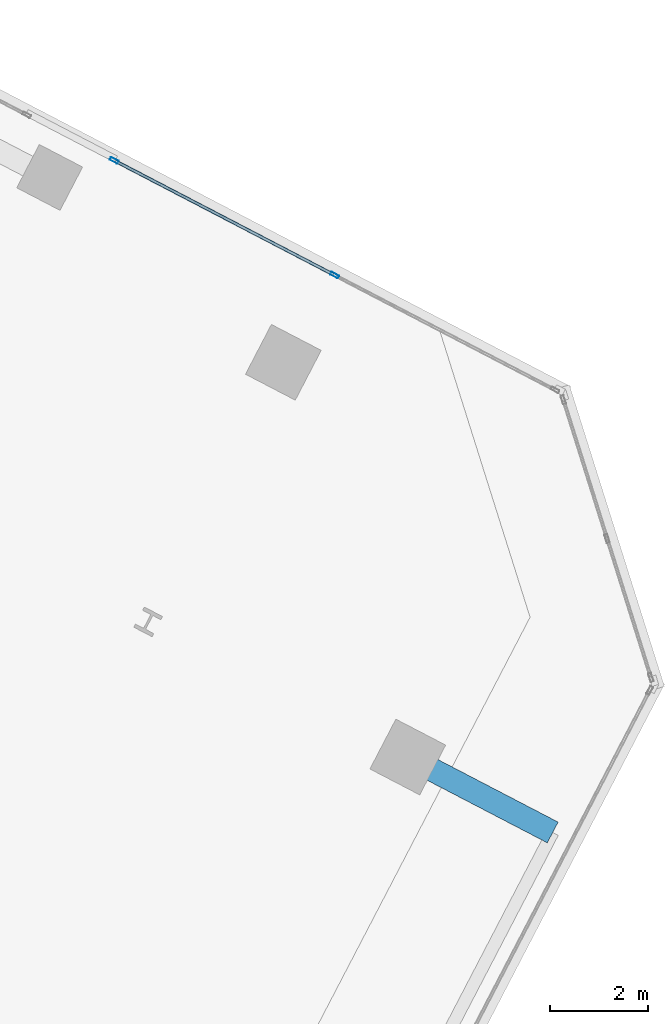
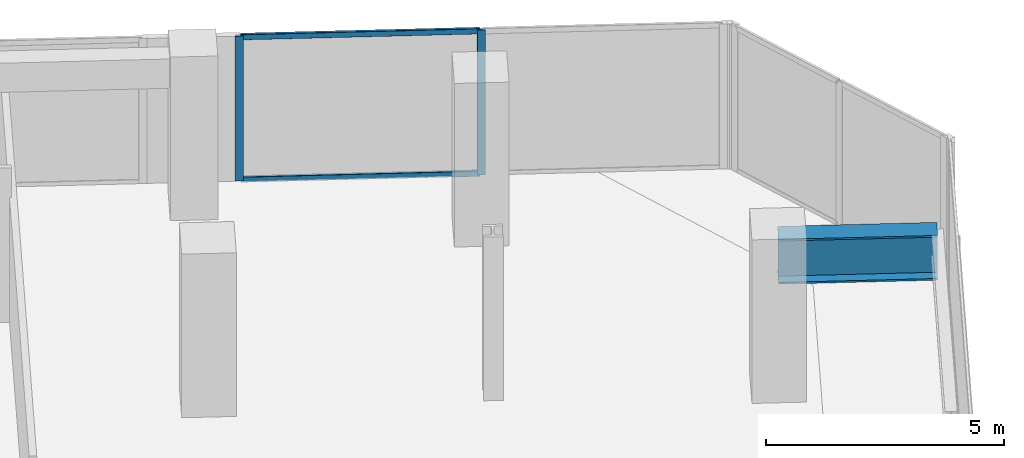
# One storey, part 10 of 22: 4 members, 1 beam, 1 element without a shape of its own.
"""IFC4 building model written with IfcOpenShell, lengths in metres."""

from ifc_helpers import new_model, si_unit, direction, frame, origin, origin_2d, place, context, subcontext, project, spatial, hollow_rectangle, i_section, extrude, source, transform, mapped, material, material_profile, profile_set, type_object, element, aggregate, save


model = new_model("IFC4")

# Units and contexts
model_context = context("Model", 3, precision=1e-05, world=origin(), true_north=direction((0.0, 1.0)))
body_context = subcontext(model_context, "Body", "Model", "MODEL_VIEW")
ifc_project = project(units=[si_unit("LENGTHUNIT", "METRE"), si_unit("AREAUNIT", "SQUARE_METRE"), si_unit("VOLUMEUNIT", "CUBIC_METRE"), si_unit("PLANEANGLEUNIT", "RADIAN"), si_unit("MASSUNIT", "GRAM", prefix="KILO")], contexts=[model_context])

# Site, building, storey
site_placement = place(None, origin())
site = spatial("IfcSite", under=ifc_project, at=site_placement, CompositionType="ELEMENT")
building_placement = place(site_placement, origin())
building = spatial("IfcBuilding", under=site, at=building_placement, Name="Torre Montelarca", CompositionType="ELEMENT")
storey_placement = place(building_placement, frame((0.0, 0.0, 166.60009765625)))
storey = spatial("IfcBuildingStorey", under=building, at=storey_placement, Name="L37", CompositionType="ELEMENT", Elevation=166.60009765625)

# Beam
ifc_material_1 = material(Name="Steel ASTM A572 Grade 50", Category="steel")
ifc_material_profile_1 = material_profile(ifc_material_1, i_section(OverallWidth=0.47998046875, OverallDepth=1.14990234375, WebThickness=0.02197265625, FlangeThickness=0.044921875, at=origin_2d()), Name="PG1150X480X22X45", Category="steel")
ifc_profile_set_1 = profile_set([ifc_material_profile_1], Name="Steel ASTM A572 Grade 50")
beam_type = type_object("IfcBeamType", Name="BM-CG-PG1400-EXT", PredefinedType="USERDEFINED", material=ifc_profile_set_1)
shared_shape_1 = source(origin(), body_context, "Body", "SweptSolid", [
    extrude(i_section(OverallWidth=0.47998046875, OverallDepth=1.14990234375, WebThickness=0.02197265625, FlangeThickness=0.044921875, at=origin_2d()), origin(), (0.0, 0.0, 1.0), 3.35009765625),
])
beam_placement = place(storey_placement, frame((48.69970703125, 26.859619140625, 3.385009765625), z_axis=(0.887050890557, -0.461671655576, 0.0), x_axis=(0.461671655576, 0.887050890557, 0.0)))
element("IfcBeam", 1, at=beam_placement, inside=storey, type_object=beam_type, Name="L37 Sliding Tray Cantilever Girder East Y=40m (FLR)", ObjectType="CANTILEVER GIRDER", PredefinedType="USERDEFINED", context=body_context, shape_type="MappedRepresentation", body=[
    mapped(shared_shape_1, transform((0.0, 0.0, 0.0), scale=1.0)),
])

# Curtain wall, members
ifc_material_2 = material(Name="Insulated low-E laminated glass", Category="glass")
curtain_wall_type = type_object("IfcCurtainWallType", Name="CW-SYS-Z2", PredefinedType="USERDEFINED", material=ifc_material_2)
curtain_wall_placement = place(storey_placement, origin())
curtain_wall = element("IfcCurtainWall", 2, at=curtain_wall_placement, inside=storey, type_object=curtain_wall_type, Name="L37 Curtain Wall Run CW-T3-L37-E08-B1", ObjectType="UNITISED GLAZING", PredefinedType="USERDEFINED")
ifc_material_3 = material(Name="Anodised aluminium AA 6063-T6", Category="aluminium")
ifc_material_profile_2 = material_profile(ifc_material_3, hollow_rectangle(XDim=0.06494140625, YDim=0.179931640625, WallThickness=0.00390625, InnerFilletRadius=0.00390625, OuterFilletRadius=0.008056640625, at=origin_2d()), Name="ALU65X180X4", Category="aluminium")
ifc_profile_set_2 = profile_set([ifc_material_profile_2], Name="Anodised aluminium AA 6063-T6")
member_type_1 = type_object("IfcMemberType", Name="CWM-ALU180", PredefinedType="MULLION", material=ifc_profile_set_2)
shared_shape_2 = source(origin(), body_context, "Body", "SweptSolid", [
    extrude(hollow_rectangle(XDim=0.06494140625, YDim=0.179931640625, WallThickness=0.00390625, InnerFilletRadius=0.00390625, OuterFilletRadius=0.008056640625, at=origin_2d()), origin(), (0.0, 0.0, 1.0), 3.719970703125),
])
member_1_placement = place(storey_placement, frame((47.198974609375, 36.739013671875, 0.0), z_axis=(0.0, 0.0, 1.0), x_axis=(-0.461743267935, -0.887013615745, 0.0)))
member_1 = element("IfcMember", 3, at=member_1_placement, type_object=member_type_1, Name="CW mullion 2", PredefinedType="MULLION", context=body_context, shape_type="MappedRepresentation", body=[
    mapped(shared_shape_2, transform((0.0, 0.0, 0.0), scale=1.0)),
])
member_2_placement = place(storey_placement, frame((42.679931640625, 39.09130859375, 0.0), z_axis=(0.0, 0.0, 1.0), x_axis=(-0.461743267935, -0.887013615745, 0.0)))
member_2 = element("IfcMember", 4, at=member_2_placement, type_object=member_type_1, Name="CW mullion 3", PredefinedType="MULLION", context=body_context, shape_type="MappedRepresentation", body=[
    mapped(shared_shape_2, transform((0.0, 0.0, 0.0), scale=1.0)),
])
ifc_material_profile_3 = material_profile(ifc_material_3, hollow_rectangle(XDim=0.06494140625, YDim=0.139892578125, WallThickness=0.00390625, InnerFilletRadius=0.00390625, OuterFilletRadius=0.008056640625, at=origin_2d()), Name="ALU65X140X4", Category="aluminium")
ifc_profile_set_3 = profile_set([ifc_material_profile_3], Name="Anodised aluminium AA 6063-T6")
member_type_2 = type_object("IfcMemberType", Name="CWT-ALU140", PredefinedType="USERDEFINED", material=ifc_profile_set_3)
shared_shape_3 = source(origin(), body_context, "Body", "SweptSolid", [
    extrude(hollow_rectangle(XDim=0.06494140625, YDim=0.139892578125, WallThickness=0.00390625, InnerFilletRadius=0.00390625, OuterFilletRadius=0.008056640625, at=origin_2d()), origin(), (0.0, 0.0, 1.0), 5.02978515625),
])
member_3_placement = place(storey_placement, frame((47.170166015625, 36.75390625, 0.032470703125), z_axis=(-0.887007697634, 0.46175463651, 0.0), x_axis=(-0.46175463651, -0.887007697634, 0.0)))
member_3 = element("IfcMember", 5, at=member_3_placement, type_object=member_type_2, Name="CW transom 2.1", ObjectType="TRANSOM", PredefinedType="USERDEFINED", context=body_context, shape_type="MappedRepresentation", body=[
    mapped(shared_shape_3, transform((0.0, 0.0, 0.0), scale=1.0)),
])
member_4_placement = place(storey_placement, frame((47.170166015625, 36.75390625, 3.6875), z_axis=(-0.887007697634, 0.46175463651, 0.0), x_axis=(-0.46175463651, -0.887007697634, 0.0)))
member_4 = element("IfcMember", 6, at=member_4_placement, type_object=member_type_2, Name="CW transom 2.2", ObjectType="TRANSOM", PredefinedType="USERDEFINED", context=body_context, shape_type="MappedRepresentation", body=[
    mapped(shared_shape_3, transform((0.0, 0.0, 0.0), scale=1.0)),
])
aggregate(curtain_wall, [member_1, member_2, member_3, member_4])

save(model, "model.ifc")
